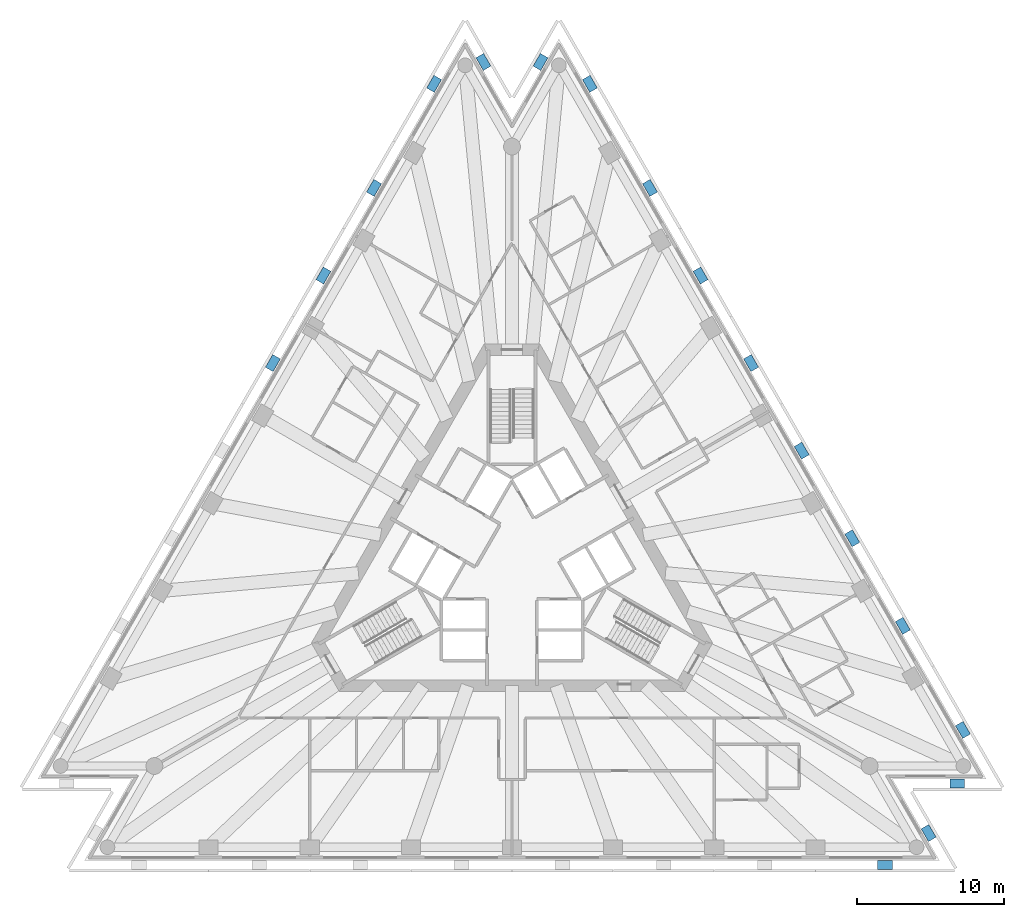
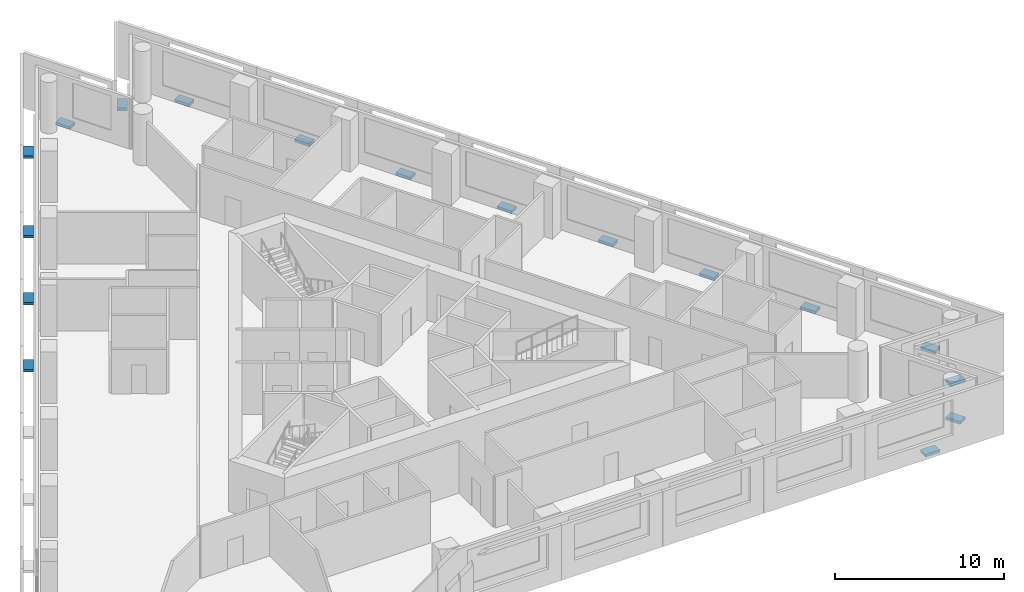
# One storey, part 8 of 10: 17 discrete accessories.
"""IFC4 building model written with IfcOpenShell, lengths in metres."""

from ifc_helpers import new_model, si_unit, direction, frame, origin, origin_2d, place, context, subcontext, project, spatial, rectangle, extrude, material, type_object, element, save


model = new_model("IFC4")

# Units and contexts
model_context = context("Model", 3, precision=1e-05, world=origin(), true_north=direction((0.0, 1.0)))
body_context = subcontext(model_context, "Body", "Model", "MODEL_VIEW")
ifc_project = project(units=[si_unit("LENGTHUNIT", "METRE"), si_unit("AREAUNIT", "SQUARE_METRE"), si_unit("VOLUMEUNIT", "CUBIC_METRE"), si_unit("PLANEANGLEUNIT", "RADIAN"), si_unit("MASSUNIT", "GRAM", prefix="KILO")], contexts=[model_context])

# Site, building, storey
site_placement = place(None, origin())
site = spatial("IfcSite", under=ifc_project, at=site_placement, CompositionType="ELEMENT")
building_placement = place(site_placement, origin())
building = spatial("IfcBuilding", under=site, at=building_placement, Name="Triada Interchange Tower", CompositionType="ELEMENT")
storey_placement = place(building_placement, frame((0.0, 0.0, 124.300048828125)))
storey = spatial("IfcBuildingStorey", under=building, at=storey_placement, Name="L28", CompositionType="ELEMENT", Elevation=124.300048828125)

# Discrete accessories
ifc_material = material(Name="Steel S355", Category="steel")
discrete_accessory_type = type_object("IfcDiscreteAccessoryType", Name="Steel bracket outer skin", PredefinedType="BRACKET", material=ifc_material)
for number, where, z_axis, x_axis, name in (
    (1, (-5.31298828125, 32.445068359375, -0.27001953125), (0.0, 0.0, 1.0), (-0.866028484274, 0.499994664397, 0.0), "Bracket L28 01"),
    (2, (-9.412109375, 25.345947265625, -0.27001953125), (0.0, 0.0, 1.0), (-0.866028484274, 0.499994664397, 0.0), "Bracket L28 02"),
    (3, (-12.860107421875, 19.373046875, -0.27001953125), (0.0, 0.0, 1.0), (-0.866028484274, 0.499994664397, 0.0), "Bracket L28 03"),
    (4, (-16.30908203125, 13.39892578125, -0.27001953125), (0.0, 0.0, 1.0), (-0.866028484274, 0.499994664397, 0.0), "Bracket L28 04"),
    (5, (25.44091796875, -20.823974609375, -0.27001953125), (0.0, 0.0, 1.0), (0.0, -1.0, 0.0), "Bracket L28 18"),
    (6, (28.416015625, -18.653076171875, -0.27001953125), (0.0, 0.0, 1.0), (0.865964345711, 0.500105740775, 0.0), "Bracket L28 19"),
    (7, (30.362060546875, -15.282958984375, -0.27001953125), (0.0, 0.0, 1.0), (0.0, -1.0, 0.0), "Bracket L28 20"),
    (8, (30.75390625, -11.62109375, -0.27001953125), (0.0, 0.0, 1.0), (0.866028484274, 0.499994664397, 0.0), "Bracket L28 21"),
    (9, (26.656005859375, -4.52197265625, -0.27001953125), (0.0, 0.0, 1.0), (0.866028484274, 0.499994664397, 0.0), "Bracket L28 22"),
    (10, (23.20703125, 1.450927734375, -0.27001953125), (0.0, 0.0, 1.0), (0.866028484274, 0.499994664397, 0.0), "Bracket L28 23"),
    (11, (19.758056640625, 7.425048828125, -0.27001953125), (0.0, 0.0, 1.0), (0.866028484274, 0.499994664397, 0.0), "Bracket L28 24"),
    (12, (16.30908203125, 13.39892578125, -0.27001953125), (0.0, 0.0, 1.0), (0.866028484274, 0.499994664397, 0.0), "Bracket L28 25"),
    (13, (12.860107421875, 19.373046875, -0.27001953125), (0.0, 0.0, 1.0), (0.866028484274, 0.499994664397, 0.0), "Bracket L28 26"),
    (14, (9.412109375, 25.345947265625, -0.27001953125), (0.0, 0.0, 1.0), (0.866028484274, 0.499994664397, 0.0), "Bracket L28 27"),
    (15, (5.31298828125, 32.445068359375, -0.27001953125), (0.0, 0.0, 1.0), (0.866028484274, 0.499994664397, 0.0), "Bracket L28 28"),
    (16, (1.946044921875, 33.93603515625, -0.27001953125), (0.0, 0.0, 1.0), (-0.866071092888, 0.4999208558, 0.0), "Bracket L28 29"),
    (17, (-1.946044921875, 33.93603515625, -0.27001953125), (0.0, 0.0, 1.0), (0.866071092888, 0.4999208558, 0.0), "Bracket L28 30"),
):
    element("IfcDiscreteAccessory", number, at=place(storey_placement, frame(where, z_axis=z_axis, x_axis=x_axis)), inside=storey, type_object=discrete_accessory_type, Name=name, PredefinedType="BRACKET", context=body_context, shape_type="SweptSolid", body=[
        extrude(rectangle(XDim=0.60009765625, YDim=1.0, at=origin_2d()), origin(), (0.0, 0.0, 1.0), 0.199951171875),
    ])

save(model, "model.ifc")
